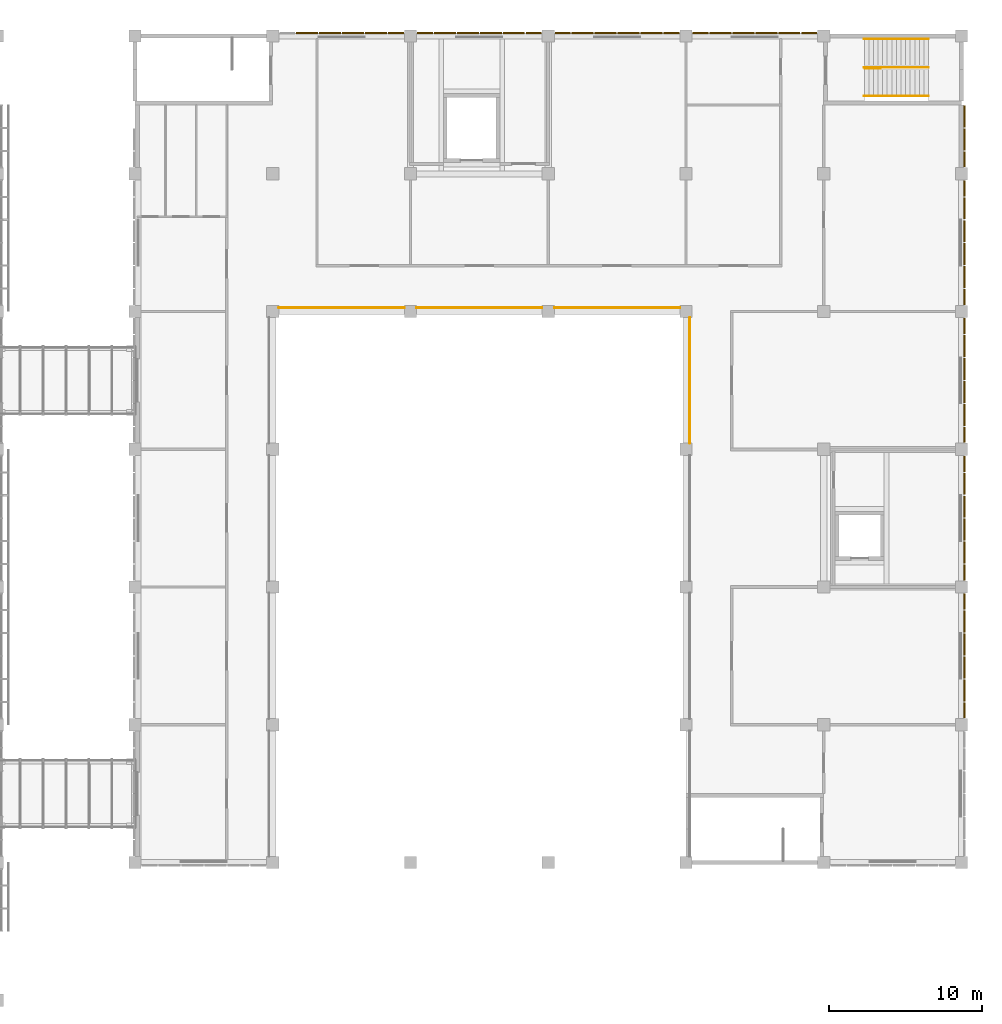
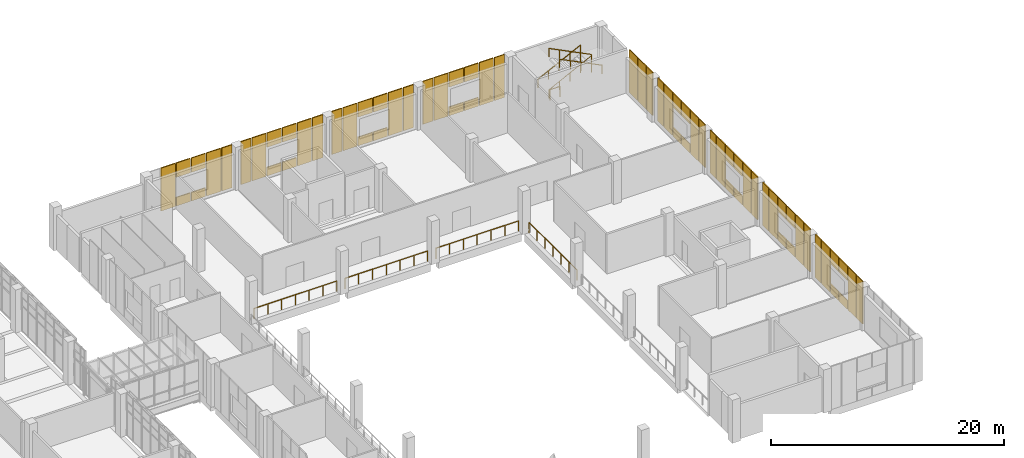
# One storey, part 86 of 88: 66 coverings, 9 railings.
"""IFC4 building model written with IfcOpenShell, lengths in metres."""

from ifc_helpers import new_model, si_unit, direction, frame, origin, origin_2d, place, context, subcontext, project, spatial, rectangle, circle, extrude, material, layer, layer_set, type_object, element, save


model = new_model("IFC4")

# Units and contexts
model_context = context("Model", 3, precision=1e-05, world=origin(), true_north=direction((0.0, 1.0)))
body_context = subcontext(model_context, "Body", "Model", "MODEL_VIEW")
ifc_project = project(units=[si_unit("LENGTHUNIT", "METRE"), si_unit("AREAUNIT", "SQUARE_METRE"), si_unit("VOLUMEUNIT", "CUBIC_METRE"), si_unit("PLANEANGLEUNIT", "RADIAN"), si_unit("MASSUNIT", "GRAM", prefix="KILO")], contexts=[model_context])

# Site, building, storey
site_placement = place(None, origin())
site = spatial("IfcSite", under=ifc_project, at=site_placement, CompositionType="ELEMENT")
building_placement = place(site_placement, origin())
building = spatial("IfcBuilding", under=site, at=building_placement, Name="Guidao Yard Department Store", CompositionType="ELEMENT")
storey_placement = place(building_placement, frame((0.0, 0.0, 6.0)))
storey = spatial("IfcBuildingStorey", under=building, at=storey_placement, Name="L01", CompositionType="ELEMENT", Elevation=6.0)

# Coverings
ifc_material_1 = material(Name="Clinker brick", Category="masonry")
ifc_layer = layer(ifc_material_1, 0.10009765625)
ifc_layer_set = layer_set([ifc_layer], Name="Clinker brick panel BR1 on rainscreen")
covering_type = type_object("IfcCoveringType", Name="Clinker brick panel BR1 on rainscreen", PredefinedType="CLADDING", material=ifc_layer_set)
covering_1_placement = place(storey_placement, frame((128.25, 108.199951171875, 0.0), z_axis=(0.0, 0.0, 1.0), x_axis=(1.0, 0.0, 0.0)))
element("IfcCovering", 1, at=covering_1_placement, inside=storey, type_object=covering_type, Name="Clinker brick panel", PredefinedType="CLADDING", context=body_context, shape_type="SweptSolid", body=[
    extrude(rectangle(XDim=1.39990234375, YDim=0.10009765625, at=origin_2d()), origin(), (0.0, 0.0, 1.0), 4.5),
])
covering_2_placement = place(storey_placement, frame((129.75, 108.199951171875, 0.0), z_axis=(0.0, 0.0, 1.0), x_axis=(1.0, 0.0, 0.0)))
element("IfcCovering", 2, at=covering_2_placement, inside=storey, type_object=covering_type, Name="Clinker brick panel", PredefinedType="CLADDING", context=body_context, shape_type="SweptSolid", body=[
    extrude(rectangle(XDim=1.39990234375, YDim=0.10009765625, at=origin_2d()), origin(), (0.0, 0.0, 1.0), 0.89990234375),
])
covering_3_placement = place(storey_placement, frame((129.75, 108.199951171875, 3.0), z_axis=(0.0, 0.0, 1.0), x_axis=(1.0, 0.0, 0.0)))
element("IfcCovering", 3, at=covering_3_placement, inside=storey, type_object=covering_type, Name="Clinker brick panel", PredefinedType="CLADDING", context=body_context, shape_type="SweptSolid", body=[
    extrude(rectangle(XDim=1.39990234375, YDim=0.10009765625, at=origin_2d()), origin(), (0.0, 0.0, 1.0), 1.5),
])
covering_4_placement = place(storey_placement, frame((131.25, 108.199951171875, 0.0), z_axis=(0.0, 0.0, 1.0), x_axis=(1.0, 0.0, 0.0)))
element("IfcCovering", 4, at=covering_4_placement, inside=storey, type_object=covering_type, Name="Clinker brick panel", PredefinedType="CLADDING", context=body_context, shape_type="SweptSolid", body=[
    extrude(rectangle(XDim=1.39990234375, YDim=0.10009765625, at=origin_2d()), origin(), (0.0, 0.0, 1.0), 0.89990234375),
])
covering_5_placement = place(storey_placement, frame((131.25, 108.199951171875, 3.0), z_axis=(0.0, 0.0, 1.0), x_axis=(1.0, 0.0, 0.0)))
element("IfcCovering", 5, at=covering_5_placement, inside=storey, type_object=covering_type, Name="Clinker brick panel", PredefinedType="CLADDING", context=body_context, shape_type="SweptSolid", body=[
    extrude(rectangle(XDim=1.39990234375, YDim=0.10009765625, at=origin_2d()), origin(), (0.0, 0.0, 1.0), 1.5),
])
covering_6_placement = place(storey_placement, frame((132.75, 108.199951171875, 0.0), z_axis=(0.0, 0.0, 1.0), x_axis=(1.0, 0.0, 0.0)))
element("IfcCovering", 6, at=covering_6_placement, inside=storey, type_object=covering_type, Name="Clinker brick panel", PredefinedType="CLADDING", context=body_context, shape_type="SweptSolid", body=[
    extrude(rectangle(XDim=1.39990234375, YDim=0.10009765625, at=origin_2d()), origin(), (0.0, 0.0, 1.0), 4.5),
])
for number, where, z_axis, x_axis, name in (
    (7, (134.050048828125, 108.199951171875, 0.0), (0.0, 0.0, 1.0), (1.0, 0.0, 0.0), "Clinker brick panel"),
    (8, (135.949951171875, 108.199951171875, 0.0), (0.0, 0.0, 1.0), (1.0, 0.0, 0.0), "Clinker brick panel"),
):
    element("IfcCovering", number, at=place(storey_placement, frame(where, z_axis=z_axis, x_axis=x_axis)), inside=storey, type_object=covering_type, Name=name, PredefinedType="CLADDING", context=body_context, shape_type="SweptSolid", body=[
        extrude(rectangle(XDim=1.0, YDim=0.10009765625, at=origin_2d()), origin(), (0.0, 0.0, 1.0), 4.5),
    ])
covering_7_placement = place(storey_placement, frame((137.25, 108.199951171875, 0.0), z_axis=(0.0, 0.0, 1.0), x_axis=(1.0, 0.0, 0.0)))
element("IfcCovering", 9, at=covering_7_placement, inside=storey, type_object=covering_type, Name="Clinker brick panel", PredefinedType="CLADDING", context=body_context, shape_type="SweptSolid", body=[
    extrude(rectangle(XDim=1.39990234375, YDim=0.10009765625, at=origin_2d()), origin(), (0.0, 0.0, 1.0), 4.5),
])
covering_8_placement = place(storey_placement, frame((138.75, 108.199951171875, 0.0), z_axis=(0.0, 0.0, 1.0), x_axis=(1.0, 0.0, 0.0)))
element("IfcCovering", 10, at=covering_8_placement, inside=storey, type_object=covering_type, Name="Clinker brick panel", PredefinedType="CLADDING", context=body_context, shape_type="SweptSolid", body=[
    extrude(rectangle(XDim=1.39990234375, YDim=0.10009765625, at=origin_2d()), origin(), (0.0, 0.0, 1.0), 0.89990234375),
])
covering_9_placement = place(storey_placement, frame((138.75, 108.199951171875, 3.0), z_axis=(0.0, 0.0, 1.0), x_axis=(1.0, 0.0, 0.0)))
element("IfcCovering", 11, at=covering_9_placement, inside=storey, type_object=covering_type, Name="Clinker brick panel", PredefinedType="CLADDING", context=body_context, shape_type="SweptSolid", body=[
    extrude(rectangle(XDim=1.39990234375, YDim=0.10009765625, at=origin_2d()), origin(), (0.0, 0.0, 1.0), 1.5),
])
covering_10_placement = place(storey_placement, frame((140.25, 108.199951171875, 0.0), z_axis=(0.0, 0.0, 1.0), x_axis=(1.0, 0.0, 0.0)))
element("IfcCovering", 12, at=covering_10_placement, inside=storey, type_object=covering_type, Name="Clinker brick panel", PredefinedType="CLADDING", context=body_context, shape_type="SweptSolid", body=[
    extrude(rectangle(XDim=1.39990234375, YDim=0.10009765625, at=origin_2d()), origin(), (0.0, 0.0, 1.0), 0.89990234375),
])
covering_11_placement = place(storey_placement, frame((140.25, 108.199951171875, 3.0), z_axis=(0.0, 0.0, 1.0), x_axis=(1.0, 0.0, 0.0)))
element("IfcCovering", 13, at=covering_11_placement, inside=storey, type_object=covering_type, Name="Clinker brick panel", PredefinedType="CLADDING", context=body_context, shape_type="SweptSolid", body=[
    extrude(rectangle(XDim=1.39990234375, YDim=0.10009765625, at=origin_2d()), origin(), (0.0, 0.0, 1.0), 1.5),
])
covering_12_placement = place(storey_placement, frame((141.75, 108.199951171875, 0.0), z_axis=(0.0, 0.0, 1.0), x_axis=(1.0, 0.0, 0.0)))
element("IfcCovering", 14, at=covering_12_placement, inside=storey, type_object=covering_type, Name="Clinker brick panel", PredefinedType="CLADDING", context=body_context, shape_type="SweptSolid", body=[
    extrude(rectangle(XDim=1.39990234375, YDim=0.10009765625, at=origin_2d()), origin(), (0.0, 0.0, 1.0), 4.5),
])
for number, where, z_axis, x_axis, name in (
    (15, (143.050048828125, 108.199951171875, 0.0), (0.0, 0.0, 1.0), (1.0, 0.0, 0.0), "Clinker brick panel"),
    (16, (144.949951171875, 108.199951171875, 0.0), (0.0, 0.0, 1.0), (1.0, 0.0, 0.0), "Clinker brick panel"),
):
    element("IfcCovering", number, at=place(storey_placement, frame(where, z_axis=z_axis, x_axis=x_axis)), inside=storey, type_object=covering_type, Name=name, PredefinedType="CLADDING", context=body_context, shape_type="SweptSolid", body=[
        extrude(rectangle(XDim=1.0, YDim=0.10009765625, at=origin_2d()), origin(), (0.0, 0.0, 1.0), 4.5),
    ])
covering_13_placement = place(storey_placement, frame((146.25, 108.199951171875, 0.0), z_axis=(0.0, 0.0, 1.0), x_axis=(1.0, 0.0, 0.0)))
element("IfcCovering", 17, at=covering_13_placement, inside=storey, type_object=covering_type, Name="Clinker brick panel", PredefinedType="CLADDING", context=body_context, shape_type="SweptSolid", body=[
    extrude(rectangle(XDim=1.39990234375, YDim=0.10009765625, at=origin_2d()), origin(), (0.0, 0.0, 1.0), 4.5),
])
covering_14_placement = place(storey_placement, frame((147.75, 108.199951171875, 0.0), z_axis=(0.0, 0.0, 1.0), x_axis=(1.0, 0.0, 0.0)))
element("IfcCovering", 18, at=covering_14_placement, inside=storey, type_object=covering_type, Name="Clinker brick panel", PredefinedType="CLADDING", context=body_context, shape_type="SweptSolid", body=[
    extrude(rectangle(XDim=1.39990234375, YDim=0.10009765625, at=origin_2d()), origin(), (0.0, 0.0, 1.0), 0.89990234375),
])
covering_15_placement = place(storey_placement, frame((147.75, 108.199951171875, 3.0), z_axis=(0.0, 0.0, 1.0), x_axis=(1.0, 0.0, 0.0)))
element("IfcCovering", 19, at=covering_15_placement, inside=storey, type_object=covering_type, Name="Clinker brick panel", PredefinedType="CLADDING", context=body_context, shape_type="SweptSolid", body=[
    extrude(rectangle(XDim=1.39990234375, YDim=0.10009765625, at=origin_2d()), origin(), (0.0, 0.0, 1.0), 1.5),
])
covering_16_placement = place(storey_placement, frame((149.25, 108.199951171875, 0.0), z_axis=(0.0, 0.0, 1.0), x_axis=(1.0, 0.0, 0.0)))
element("IfcCovering", 20, at=covering_16_placement, inside=storey, type_object=covering_type, Name="Clinker brick panel", PredefinedType="CLADDING", context=body_context, shape_type="SweptSolid", body=[
    extrude(rectangle(XDim=1.39990234375, YDim=0.10009765625, at=origin_2d()), origin(), (0.0, 0.0, 1.0), 0.89990234375),
])
covering_17_placement = place(storey_placement, frame((149.25, 108.199951171875, 3.0), z_axis=(0.0, 0.0, 1.0), x_axis=(1.0, 0.0, 0.0)))
element("IfcCovering", 21, at=covering_17_placement, inside=storey, type_object=covering_type, Name="Clinker brick panel", PredefinedType="CLADDING", context=body_context, shape_type="SweptSolid", body=[
    extrude(rectangle(XDim=1.39990234375, YDim=0.10009765625, at=origin_2d()), origin(), (0.0, 0.0, 1.0), 1.5),
])
covering_18_placement = place(storey_placement, frame((150.75, 108.199951171875, 0.0), z_axis=(0.0, 0.0, 1.0), x_axis=(1.0, 0.0, 0.0)))
element("IfcCovering", 22, at=covering_18_placement, inside=storey, type_object=covering_type, Name="Clinker brick panel", PredefinedType="CLADDING", context=body_context, shape_type="SweptSolid", body=[
    extrude(rectangle(XDim=1.39990234375, YDim=0.10009765625, at=origin_2d()), origin(), (0.0, 0.0, 1.0), 4.5),
])
for number, where, z_axis, x_axis, name in (
    (23, (152.050048828125, 108.199951171875, 0.0), (0.0, 0.0, 1.0), (1.0, 0.0, 0.0), "Clinker brick panel"),
    (24, (153.949951171875, 108.199951171875, 0.0), (0.0, 0.0, 1.0), (1.0, 0.0, 0.0), "Clinker brick panel"),
):
    element("IfcCovering", number, at=place(storey_placement, frame(where, z_axis=z_axis, x_axis=x_axis)), inside=storey, type_object=covering_type, Name=name, PredefinedType="CLADDING", context=body_context, shape_type="SweptSolid", body=[
        extrude(rectangle(XDim=1.0, YDim=0.10009765625, at=origin_2d()), origin(), (0.0, 0.0, 1.0), 4.5),
    ])
covering_19_placement = place(storey_placement, frame((155.25, 108.199951171875, 0.0), z_axis=(0.0, 0.0, 1.0), x_axis=(1.0, 0.0, 0.0)))
element("IfcCovering", 25, at=covering_19_placement, inside=storey, type_object=covering_type, Name="Clinker brick panel", PredefinedType="CLADDING", context=body_context, shape_type="SweptSolid", body=[
    extrude(rectangle(XDim=1.39990234375, YDim=0.10009765625, at=origin_2d()), origin(), (0.0, 0.0, 1.0), 4.5),
])
covering_20_placement = place(storey_placement, frame((156.75, 108.199951171875, 0.0), z_axis=(0.0, 0.0, 1.0), x_axis=(1.0, 0.0, 0.0)))
element("IfcCovering", 26, at=covering_20_placement, inside=storey, type_object=covering_type, Name="Clinker brick panel", PredefinedType="CLADDING", context=body_context, shape_type="SweptSolid", body=[
    extrude(rectangle(XDim=1.39990234375, YDim=0.10009765625, at=origin_2d()), origin(), (0.0, 0.0, 1.0), 0.89990234375),
])
covering_21_placement = place(storey_placement, frame((156.75, 108.199951171875, 3.0), z_axis=(0.0, 0.0, 1.0), x_axis=(1.0, 0.0, 0.0)))
element("IfcCovering", 27, at=covering_21_placement, inside=storey, type_object=covering_type, Name="Clinker brick panel", PredefinedType="CLADDING", context=body_context, shape_type="SweptSolid", body=[
    extrude(rectangle(XDim=1.39990234375, YDim=0.10009765625, at=origin_2d()), origin(), (0.0, 0.0, 1.0), 1.5),
])
covering_22_placement = place(storey_placement, frame((158.25, 108.199951171875, 0.0), z_axis=(0.0, 0.0, 1.0), x_axis=(1.0, 0.0, 0.0)))
element("IfcCovering", 28, at=covering_22_placement, inside=storey, type_object=covering_type, Name="Clinker brick panel", PredefinedType="CLADDING", context=body_context, shape_type="SweptSolid", body=[
    extrude(rectangle(XDim=1.39990234375, YDim=0.10009765625, at=origin_2d()), origin(), (0.0, 0.0, 1.0), 0.89990234375),
])
covering_23_placement = place(storey_placement, frame((158.25, 108.199951171875, 3.0), z_axis=(0.0, 0.0, 1.0), x_axis=(1.0, 0.0, 0.0)))
element("IfcCovering", 29, at=covering_23_placement, inside=storey, type_object=covering_type, Name="Clinker brick panel", PredefinedType="CLADDING", context=body_context, shape_type="SweptSolid", body=[
    extrude(rectangle(XDim=1.39990234375, YDim=0.10009765625, at=origin_2d()), origin(), (0.0, 0.0, 1.0), 1.5),
])
covering_24_placement = place(storey_placement, frame((159.75, 108.199951171875, 0.0), z_axis=(0.0, 0.0, 1.0), x_axis=(1.0, 0.0, 0.0)))
element("IfcCovering", 30, at=covering_24_placement, inside=storey, type_object=covering_type, Name="Clinker brick panel", PredefinedType="CLADDING", context=body_context, shape_type="SweptSolid", body=[
    extrude(rectangle(XDim=1.39990234375, YDim=0.10009765625, at=origin_2d()), origin(), (0.0, 0.0, 1.0), 4.5),
])
for number, where, z_axis, x_axis, name in (
    (31, (161.050048828125, 108.199951171875, 0.0), (0.0, 0.0, 1.0), (1.0, 0.0, 0.0), "Clinker brick panel"),
    (32, (171.199951171875, 63.949951171875, 0.0), (0.0, 0.0, 1.0), (0.0, -1.0, 0.0), "Clinker brick panel"),
):
    element("IfcCovering", number, at=place(storey_placement, frame(where, z_axis=z_axis, x_axis=x_axis)), inside=storey, type_object=covering_type, Name=name, PredefinedType="CLADDING", context=body_context, shape_type="SweptSolid", body=[
        extrude(rectangle(XDim=1.0, YDim=0.10009765625, at=origin_2d()), origin(), (0.0, 0.0, 1.0), 4.5),
    ])
covering_25_placement = place(storey_placement, frame((171.199951171875, 65.25, 0.0), z_axis=(0.0, 0.0, 1.0), x_axis=(0.0, -1.0, 0.0)))
element("IfcCovering", 33, at=covering_25_placement, inside=storey, type_object=covering_type, Name="Clinker brick panel", PredefinedType="CLADDING", context=body_context, shape_type="SweptSolid", body=[
    extrude(rectangle(XDim=1.39990234375, YDim=0.10009765625, at=origin_2d()), origin(), (0.0, 0.0, 1.0), 4.5),
])
covering_26_placement = place(storey_placement, frame((171.199951171875, 66.75, 0.0), z_axis=(0.0, 0.0, 1.0), x_axis=(0.0, -1.0, 0.0)))
element("IfcCovering", 34, at=covering_26_placement, inside=storey, type_object=covering_type, Name="Clinker brick panel", PredefinedType="CLADDING", context=body_context, shape_type="SweptSolid", body=[
    extrude(rectangle(XDim=1.39990234375, YDim=0.10009765625, at=origin_2d()), origin(), (0.0, 0.0, 1.0), 0.89990234375),
])
covering_27_placement = place(storey_placement, frame((171.199951171875, 66.75, 3.0), z_axis=(0.0, 0.0, 1.0), x_axis=(0.0, -1.0, 0.0)))
element("IfcCovering", 35, at=covering_27_placement, inside=storey, type_object=covering_type, Name="Clinker brick panel", PredefinedType="CLADDING", context=body_context, shape_type="SweptSolid", body=[
    extrude(rectangle(XDim=1.39990234375, YDim=0.10009765625, at=origin_2d()), origin(), (0.0, 0.0, 1.0), 1.5),
])
covering_28_placement = place(storey_placement, frame((171.199951171875, 68.25, 0.0), z_axis=(0.0, 0.0, 1.0), x_axis=(0.0, -1.0, 0.0)))
element("IfcCovering", 36, at=covering_28_placement, inside=storey, type_object=covering_type, Name="Clinker brick panel", PredefinedType="CLADDING", context=body_context, shape_type="SweptSolid", body=[
    extrude(rectangle(XDim=1.39990234375, YDim=0.10009765625, at=origin_2d()), origin(), (0.0, 0.0, 1.0), 0.89990234375),
])
covering_29_placement = place(storey_placement, frame((171.199951171875, 68.25, 3.0), z_axis=(0.0, 0.0, 1.0), x_axis=(0.0, -1.0, 0.0)))
element("IfcCovering", 37, at=covering_29_placement, inside=storey, type_object=covering_type, Name="Clinker brick panel", PredefinedType="CLADDING", context=body_context, shape_type="SweptSolid", body=[
    extrude(rectangle(XDim=1.39990234375, YDim=0.10009765625, at=origin_2d()), origin(), (0.0, 0.0, 1.0), 1.5),
])
covering_30_placement = place(storey_placement, frame((171.199951171875, 69.75, 0.0), z_axis=(0.0, 0.0, 1.0), x_axis=(0.0, -1.0, 0.0)))
element("IfcCovering", 38, at=covering_30_placement, inside=storey, type_object=covering_type, Name="Clinker brick panel", PredefinedType="CLADDING", context=body_context, shape_type="SweptSolid", body=[
    extrude(rectangle(XDim=1.39990234375, YDim=0.10009765625, at=origin_2d()), origin(), (0.0, 0.0, 1.0), 4.5),
])
for number, where, z_axis, x_axis, name in (
    (39, (171.199951171875, 71.050048828125, 0.0), (0.0, 0.0, 1.0), (0.0, -1.0, 0.0), "Clinker brick panel"),
    (40, (171.199951171875, 72.949951171875, 0.0), (0.0, 0.0, 1.0), (0.0, -1.0, 0.0), "Clinker brick panel"),
):
    element("IfcCovering", number, at=place(storey_placement, frame(where, z_axis=z_axis, x_axis=x_axis)), inside=storey, type_object=covering_type, Name=name, PredefinedType="CLADDING", context=body_context, shape_type="SweptSolid", body=[
        extrude(rectangle(XDim=1.0, YDim=0.10009765625, at=origin_2d()), origin(), (0.0, 0.0, 1.0), 4.5),
    ])
covering_31_placement = place(storey_placement, frame((171.199951171875, 74.25, 0.0), z_axis=(0.0, 0.0, 1.0), x_axis=(0.0, -1.0, 0.0)))
element("IfcCovering", 41, at=covering_31_placement, inside=storey, type_object=covering_type, Name="Clinker brick panel", PredefinedType="CLADDING", context=body_context, shape_type="SweptSolid", body=[
    extrude(rectangle(XDim=1.39990234375, YDim=0.10009765625, at=origin_2d()), origin(), (0.0, 0.0, 1.0), 4.5),
])
covering_32_placement = place(storey_placement, frame((171.199951171875, 75.75, 0.0), z_axis=(0.0, 0.0, 1.0), x_axis=(0.0, -1.0, 0.0)))
element("IfcCovering", 42, at=covering_32_placement, inside=storey, type_object=covering_type, Name="Clinker brick panel", PredefinedType="CLADDING", context=body_context, shape_type="SweptSolid", body=[
    extrude(rectangle(XDim=1.39990234375, YDim=0.10009765625, at=origin_2d()), origin(), (0.0, 0.0, 1.0), 0.89990234375),
])
covering_33_placement = place(storey_placement, frame((171.199951171875, 75.75, 3.0), z_axis=(0.0, 0.0, 1.0), x_axis=(0.0, -1.0, 0.0)))
element("IfcCovering", 43, at=covering_33_placement, inside=storey, type_object=covering_type, Name="Clinker brick panel", PredefinedType="CLADDING", context=body_context, shape_type="SweptSolid", body=[
    extrude(rectangle(XDim=1.39990234375, YDim=0.10009765625, at=origin_2d()), origin(), (0.0, 0.0, 1.0), 1.5),
])
covering_34_placement = place(storey_placement, frame((171.199951171875, 77.25, 0.0), z_axis=(0.0, 0.0, 1.0), x_axis=(0.0, -1.0, 0.0)))
element("IfcCovering", 44, at=covering_34_placement, inside=storey, type_object=covering_type, Name="Clinker brick panel", PredefinedType="CLADDING", context=body_context, shape_type="SweptSolid", body=[
    extrude(rectangle(XDim=1.39990234375, YDim=0.10009765625, at=origin_2d()), origin(), (0.0, 0.0, 1.0), 0.89990234375),
])
covering_35_placement = place(storey_placement, frame((171.199951171875, 77.25, 3.0), z_axis=(0.0, 0.0, 1.0), x_axis=(0.0, -1.0, 0.0)))
element("IfcCovering", 45, at=covering_35_placement, inside=storey, type_object=covering_type, Name="Clinker brick panel", PredefinedType="CLADDING", context=body_context, shape_type="SweptSolid", body=[
    extrude(rectangle(XDim=1.39990234375, YDim=0.10009765625, at=origin_2d()), origin(), (0.0, 0.0, 1.0), 1.5),
])
covering_36_placement = place(storey_placement, frame((171.199951171875, 78.75, 0.0), z_axis=(0.0, 0.0, 1.0), x_axis=(0.0, -1.0, 0.0)))
element("IfcCovering", 46, at=covering_36_placement, inside=storey, type_object=covering_type, Name="Clinker brick panel", PredefinedType="CLADDING", context=body_context, shape_type="SweptSolid", body=[
    extrude(rectangle(XDim=1.39990234375, YDim=0.10009765625, at=origin_2d()), origin(), (0.0, 0.0, 1.0), 4.5),
])
for number, where, z_axis, x_axis, name in (
    (47, (171.199951171875, 80.050048828125, 0.0), (0.0, 0.0, 1.0), (0.0, -1.0, 0.0), "Clinker brick panel"),
    (48, (171.199951171875, 81.949951171875, 0.0), (0.0, 0.0, 1.0), (0.0, -1.0, 0.0), "Clinker brick panel"),
):
    element("IfcCovering", number, at=place(storey_placement, frame(where, z_axis=z_axis, x_axis=x_axis)), inside=storey, type_object=covering_type, Name=name, PredefinedType="CLADDING", context=body_context, shape_type="SweptSolid", body=[
        extrude(rectangle(XDim=1.0, YDim=0.10009765625, at=origin_2d()), origin(), (0.0, 0.0, 1.0), 4.5),
    ])
covering_37_placement = place(storey_placement, frame((171.199951171875, 83.25, 0.0), z_axis=(0.0, 0.0, 1.0), x_axis=(0.0, -1.0, 0.0)))
element("IfcCovering", 49, at=covering_37_placement, inside=storey, type_object=covering_type, Name="Clinker brick panel", PredefinedType="CLADDING", context=body_context, shape_type="SweptSolid", body=[
    extrude(rectangle(XDim=1.39990234375, YDim=0.10009765625, at=origin_2d()), origin(), (0.0, 0.0, 1.0), 4.5),
])
covering_38_placement = place(storey_placement, frame((171.199951171875, 84.75, 0.0), z_axis=(0.0, 0.0, 1.0), x_axis=(0.0, -1.0, 0.0)))
element("IfcCovering", 50, at=covering_38_placement, inside=storey, type_object=covering_type, Name="Clinker brick panel", PredefinedType="CLADDING", context=body_context, shape_type="SweptSolid", body=[
    extrude(rectangle(XDim=1.39990234375, YDim=0.10009765625, at=origin_2d()), origin(), (0.0, 0.0, 1.0), 0.89990234375),
])
covering_39_placement = place(storey_placement, frame((171.199951171875, 84.75, 3.0), z_axis=(0.0, 0.0, 1.0), x_axis=(0.0, -1.0, 0.0)))
element("IfcCovering", 51, at=covering_39_placement, inside=storey, type_object=covering_type, Name="Clinker brick panel", PredefinedType="CLADDING", context=body_context, shape_type="SweptSolid", body=[
    extrude(rectangle(XDim=1.39990234375, YDim=0.10009765625, at=origin_2d()), origin(), (0.0, 0.0, 1.0), 1.5),
])
covering_40_placement = place(storey_placement, frame((171.199951171875, 86.25, 0.0), z_axis=(0.0, 0.0, 1.0), x_axis=(0.0, -1.0, 0.0)))
element("IfcCovering", 52, at=covering_40_placement, inside=storey, type_object=covering_type, Name="Clinker brick panel", PredefinedType="CLADDING", context=body_context, shape_type="SweptSolid", body=[
    extrude(rectangle(XDim=1.39990234375, YDim=0.10009765625, at=origin_2d()), origin(), (0.0, 0.0, 1.0), 0.89990234375),
])
covering_41_placement = place(storey_placement, frame((171.199951171875, 86.25, 3.0), z_axis=(0.0, 0.0, 1.0), x_axis=(0.0, -1.0, 0.0)))
element("IfcCovering", 53, at=covering_41_placement, inside=storey, type_object=covering_type, Name="Clinker brick panel", PredefinedType="CLADDING", context=body_context, shape_type="SweptSolid", body=[
    extrude(rectangle(XDim=1.39990234375, YDim=0.10009765625, at=origin_2d()), origin(), (0.0, 0.0, 1.0), 1.5),
])
covering_42_placement = place(storey_placement, frame((171.199951171875, 87.75, 0.0), z_axis=(0.0, 0.0, 1.0), x_axis=(0.0, -1.0, 0.0)))
element("IfcCovering", 54, at=covering_42_placement, inside=storey, type_object=covering_type, Name="Clinker brick panel", PredefinedType="CLADDING", context=body_context, shape_type="SweptSolid", body=[
    extrude(rectangle(XDim=1.39990234375, YDim=0.10009765625, at=origin_2d()), origin(), (0.0, 0.0, 1.0), 4.5),
])
for number, where, z_axis, x_axis, name in (
    (55, (171.199951171875, 89.050048828125, 0.0), (0.0, 0.0, 1.0), (0.0, -1.0, 0.0), "Clinker brick panel"),
    (56, (171.199951171875, 90.949951171875, 0.0), (0.0, 0.0, 1.0), (0.0, -1.0, 0.0), "Clinker brick panel"),
):
    element("IfcCovering", number, at=place(storey_placement, frame(where, z_axis=z_axis, x_axis=x_axis)), inside=storey, type_object=covering_type, Name=name, PredefinedType="CLADDING", context=body_context, shape_type="SweptSolid", body=[
        extrude(rectangle(XDim=1.0, YDim=0.10009765625, at=origin_2d()), origin(), (0.0, 0.0, 1.0), 4.5),
    ])
covering_43_placement = place(storey_placement, frame((171.199951171875, 92.25, 0.0), z_axis=(0.0, 0.0, 1.0), x_axis=(0.0, -1.0, 0.0)))
element("IfcCovering", 57, at=covering_43_placement, inside=storey, type_object=covering_type, Name="Clinker brick panel", PredefinedType="CLADDING", context=body_context, shape_type="SweptSolid", body=[
    extrude(rectangle(XDim=1.39990234375, YDim=0.10009765625, at=origin_2d()), origin(), (0.0, 0.0, 1.0), 4.5),
])
covering_44_placement = place(storey_placement, frame((171.199951171875, 93.75, 0.0), z_axis=(0.0, 0.0, 1.0), x_axis=(0.0, -1.0, 0.0)))
element("IfcCovering", 58, at=covering_44_placement, inside=storey, type_object=covering_type, Name="Clinker brick panel", PredefinedType="CLADDING", context=body_context, shape_type="SweptSolid", body=[
    extrude(rectangle(XDim=1.39990234375, YDim=0.10009765625, at=origin_2d()), origin(), (0.0, 0.0, 1.0), 0.89990234375),
])
covering_45_placement = place(storey_placement, frame((171.199951171875, 93.75, 3.0), z_axis=(0.0, 0.0, 1.0), x_axis=(0.0, -1.0, 0.0)))
element("IfcCovering", 59, at=covering_45_placement, inside=storey, type_object=covering_type, Name="Clinker brick panel", PredefinedType="CLADDING", context=body_context, shape_type="SweptSolid", body=[
    extrude(rectangle(XDim=1.39990234375, YDim=0.10009765625, at=origin_2d()), origin(), (0.0, 0.0, 1.0), 1.5),
])
covering_46_placement = place(storey_placement, frame((171.199951171875, 95.25, 0.0), z_axis=(0.0, 0.0, 1.0), x_axis=(0.0, -1.0, 0.0)))
element("IfcCovering", 60, at=covering_46_placement, inside=storey, type_object=covering_type, Name="Clinker brick panel", PredefinedType="CLADDING", context=body_context, shape_type="SweptSolid", body=[
    extrude(rectangle(XDim=1.39990234375, YDim=0.10009765625, at=origin_2d()), origin(), (0.0, 0.0, 1.0), 0.89990234375),
])
covering_47_placement = place(storey_placement, frame((171.199951171875, 95.25, 3.0), z_axis=(0.0, 0.0, 1.0), x_axis=(0.0, -1.0, 0.0)))
element("IfcCovering", 61, at=covering_47_placement, inside=storey, type_object=covering_type, Name="Clinker brick panel", PredefinedType="CLADDING", context=body_context, shape_type="SweptSolid", body=[
    extrude(rectangle(XDim=1.39990234375, YDim=0.10009765625, at=origin_2d()), origin(), (0.0, 0.0, 1.0), 1.5),
])
covering_48_placement = place(storey_placement, frame((171.199951171875, 96.75, 0.0), z_axis=(0.0, 0.0, 1.0), x_axis=(0.0, -1.0, 0.0)))
element("IfcCovering", 62, at=covering_48_placement, inside=storey, type_object=covering_type, Name="Clinker brick panel", PredefinedType="CLADDING", context=body_context, shape_type="SweptSolid", body=[
    extrude(rectangle(XDim=1.39990234375, YDim=0.10009765625, at=origin_2d()), origin(), (0.0, 0.0, 1.0), 4.5),
])
for number, where, z_axis, x_axis, name in (
    (63, (171.199951171875, 98.050048828125, 0.0), (0.0, 0.0, 1.0), (0.0, -1.0, 0.0), "Clinker brick panel"),
    (64, (171.199951171875, 99.949951171875, 0.0), (0.0, 0.0, 1.0), (0.0, -1.0, 0.0), "Clinker brick panel"),
):
    element("IfcCovering", number, at=place(storey_placement, frame(where, z_axis=z_axis, x_axis=x_axis)), inside=storey, type_object=covering_type, Name=name, PredefinedType="CLADDING", context=body_context, shape_type="SweptSolid", body=[
        extrude(rectangle(XDim=1.0, YDim=0.10009765625, at=origin_2d()), origin(), (0.0, 0.0, 1.0), 4.5),
    ])
for number, where, z_axis, x_axis, name in (
    (65, (171.199951171875, 101.25, 0.0), (0.0, 0.0, 1.0), (0.0, -1.0, 0.0), "Clinker brick panel"),
    (66, (171.199951171875, 102.75, 0.0), (0.0, 0.0, 1.0), (0.0, -1.0, 0.0), "Clinker brick panel"),
):
    element("IfcCovering", number, at=place(storey_placement, frame(where, z_axis=z_axis, x_axis=x_axis)), inside=storey, type_object=covering_type, Name=name, PredefinedType="CLADDING", context=body_context, shape_type="SweptSolid", body=[
        extrude(rectangle(XDim=1.39990234375, YDim=0.10009765625, at=origin_2d()), origin(), (0.0, 0.0, 1.0), 4.5),
    ])

# Railings
ifc_material_2 = material(Name="Steel Q235", Category="steel")
railing_type_1 = type_object("IfcRailingType", Name="Guard steel balustrade 1100", PredefinedType="GUARDRAIL", material=ifc_material_2)
railing_1_placement = place(storey_placement, frame((164.7099609375, 105.875, 0.0)))
element("IfcRailing", 67, at=railing_1_placement, inside=storey, type_object=railing_type_1, Name="Stair F2 guard L01 10", PredefinedType="GUARDRAIL", context=body_context, shape_type="SweptSolid", body=[
    extrude(circle(Radius=0.02392578125, at=origin_2d()), frame((0.0, 0.0, 1.076171875), z_axis=(1.0, 0.0, 0.0), x_axis=(0.0, 1.0, 0.0)), (0.0, 0.0, 1.0), 1.0),
    extrude(circle(Radius=0.02099609375, at=origin_2d()), origin(), (0.0, 0.0, 1.0), 1.052001953125),
    extrude(circle(Radius=0.02099609375, at=origin_2d()), frame((1.0, 0.0, 0.0)), (0.0, 0.0, 1.0), 1.052001953125),
])
for number, where, name in (
    (68, (126.39990234375, 90.25, 0.0), "Guard hall N L01"),
    (69, (135.39990234375, 90.25, 0.0), "Guard hall N L01"),
    (70, (144.39990234375, 90.25, 0.0), "Guard hall N L01"),
):
    element("IfcRailing", number, at=place(storey_placement, frame(where)), inside=storey, type_object=railing_type_1, Name=name, PredefinedType="GUARDRAIL", context=body_context, shape_type="SweptSolid", body=[
        extrude(circle(Radius=0.02392578125, at=origin_2d()), frame((0.0, 0.0, 1.076171875), z_axis=(1.0, 0.0, 0.0), x_axis=(0.0, 1.0, 0.0)), (0.0, 0.0, 1.0), 8.2001953125),
        extrude(circle(Radius=0.02099609375, at=origin_2d()), origin(), (0.0, 0.0, 1.0), 1.052001953125),
        extrude(circle(Radius=0.02099609375, at=origin_2d()), frame((1.36669921875, 0.0, 0.0)), (0.0, 0.0, 1.0), 1.052001953125),
        extrude(circle(Radius=0.02099609375, at=origin_2d()), frame((2.7333984375, 0.0, 0.0)), (0.0, 0.0, 1.0), 1.052001953125),
        extrude(circle(Radius=0.02099609375, at=origin_2d()), frame((4.10009765625, 0.0, 0.0)), (0.0, 0.0, 1.0), 1.052001953125),
        extrude(circle(Radius=0.02099609375, at=origin_2d()), frame((5.466796875, 0.0, 0.0)), (0.0, 0.0, 1.0), 1.052001953125),
        extrude(circle(Radius=0.02099609375, at=origin_2d()), frame((6.83349609375, 0.0, 0.0)), (0.0, 0.0, 1.0), 1.052001953125),
        extrude(circle(Radius=0.02099609375, at=origin_2d()), frame((8.2001953125, 0.0, 0.0)), (0.0, 0.0, 1.0), 1.052001953125),
    ])
railing_2_placement = place(storey_placement, frame((153.25, 89.60009765625, 0.0)))
element("IfcRailing", 71, at=railing_2_placement, inside=storey, type_object=railing_type_1, Name="Guard hall E L01", PredefinedType="GUARDRAIL", context=body_context, shape_type="SweptSolid", body=[
    extrude(circle(Radius=0.02392578125, at=origin_2d()), frame((0.0, 0.0, 1.076171875), z_axis=(0.0, -1.0, 0.0), x_axis=(1.0, 0.0, 0.0)), (0.0, 0.0, 1.0), 8.2001953125),
    extrude(circle(Radius=0.02099609375, at=origin_2d()), origin(), (0.0, 0.0, 1.0), 1.052001953125),
    extrude(circle(Radius=0.02099609375, at=origin_2d()), frame((0.0, -1.36669921875, 0.0)), (0.0, 0.0, 1.0), 1.052001953125),
    extrude(circle(Radius=0.02099609375, at=origin_2d()), frame((0.0, -2.7333984375, 0.0)), (0.0, 0.0, 1.0), 1.052001953125),
    extrude(circle(Radius=0.02099609375, at=origin_2d()), frame((0.0, -4.10009765625, 0.0)), (0.0, 0.0, 1.0), 1.052001953125),
    extrude(circle(Radius=0.02099609375, at=origin_2d()), frame((0.0, -5.466796875, 0.0)), (0.0, 0.0, 1.0), 1.052001953125),
    extrude(circle(Radius=0.02099609375, at=origin_2d()), frame((0.0, -6.83349609375, 0.0)), (0.0, 0.0, 1.0), 1.052001953125),
    extrude(circle(Radius=0.02099609375, at=origin_2d()), frame((0.0, -8.2001953125, 0.0)), (0.0, 0.0, 1.0), 1.052001953125),
])
ifc_material_3 = material(Name="Steel Q235", Category="steel")
railing_type_2 = type_object("IfcRailingType", Name="Handrail steel tube 48", PredefinedType="HANDRAIL", material=ifc_material_3)
for number, where, name in (
    (72, (164.64990234375, 107.81494140625, 0.14990234375), "Stair F2 hand rail L01 33"),
    (73, (164.64990234375, 105.949951171875, 0.14990234375), "Stair F2 hand rail L01 34"),
):
    element("IfcRailing", number, at=place(storey_placement, frame(where)), inside=storey, type_object=railing_type_2, Name=name, PredefinedType="HANDRAIL", context=body_context, shape_type="SweptSolid", body=[
        extrude(circle(Radius=0.02392578125, at=origin_2d()), frame((0.0, 0.0, 0.8759765625), z_axis=(0.894427191, 0.0, 0.4472135955), x_axis=(0.0, 1.0, 0.0)), (0.0, 0.0, 1.0), 4.696044921875),
        extrude(circle(Radius=0.02099609375, at=origin_2d()), origin(), (0.0, 0.0, 1.0), 0.851806640625),
        extrude(circle(Radius=0.02099609375, at=origin_2d()), frame((1.050048828125, 0.0, 0.52490234375)), (0.0, 0.0, 1.0), 0.851806640625),
        extrude(circle(Radius=0.02099609375, at=origin_2d()), frame((2.10009765625, 0.0, 1.050048828125)), (0.0, 0.0, 1.0), 0.851806640625),
        extrude(circle(Radius=0.02099609375, at=origin_2d()), frame((3.150146484375, 0.0, 1.5751953125)), (0.0, 0.0, 1.0), 0.851806640625),
        extrude(circle(Radius=0.02099609375, at=origin_2d()), frame((4.2001953125, 0.0, 2.10009765625)), (0.0, 0.0, 1.0), 0.851806640625),
    ])
for number, where, name in (
    (74, (168.85009765625, 104.0849609375, 2.39990234375), "Stair F2 hand rail L01 35"),
    (75, (168.85009765625, 105.949951171875, 2.39990234375), "Stair F2 hand rail L01 36"),
):
    element("IfcRailing", number, at=place(storey_placement, frame(where)), inside=storey, type_object=railing_type_2, Name=name, PredefinedType="HANDRAIL", context=body_context, shape_type="SweptSolid", body=[
        extrude(circle(Radius=0.02392578125, at=origin_2d()), frame((0.0, 0.0, 0.8759765625), z_axis=(-0.894427191, 0.0, 0.4472135955), x_axis=(0.0, -1.0, 0.0)), (0.0, 0.0, 1.0), 4.696044921875),
        extrude(circle(Radius=0.02099609375, at=origin_2d()), origin(), (0.0, 0.0, 1.0), 0.851806640625),
        extrude(circle(Radius=0.02099609375, at=origin_2d()), frame((-1.050048828125, 0.0, 0.52490234375)), (0.0, 0.0, 1.0), 0.851806640625),
        extrude(circle(Radius=0.02099609375, at=origin_2d()), frame((-2.10009765625, 0.0, 1.050048828125)), (0.0, 0.0, 1.0), 0.851806640625),
        extrude(circle(Radius=0.02099609375, at=origin_2d()), frame((-3.150146484375, 0.0, 1.5751953125)), (0.0, 0.0, 1.0), 0.851806640625),
        extrude(circle(Radius=0.02099609375, at=origin_2d()), frame((-4.2001953125, 0.0, 2.10009765625)), (0.0, 0.0, 1.0), 0.851806640625),
    ])

save(model, "model.ifc")
